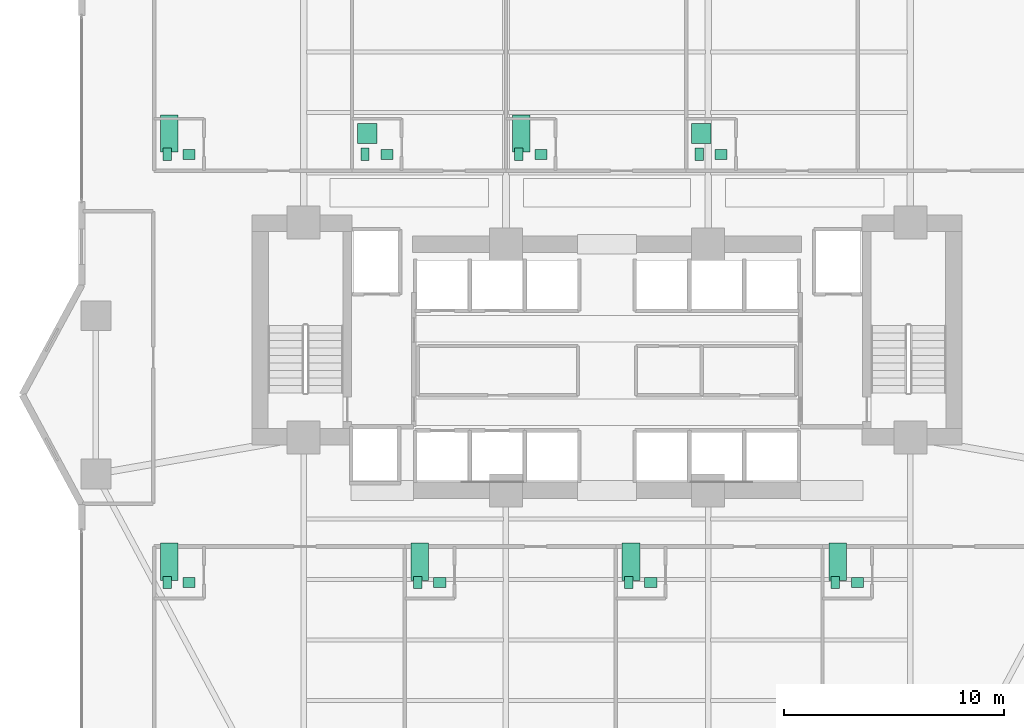
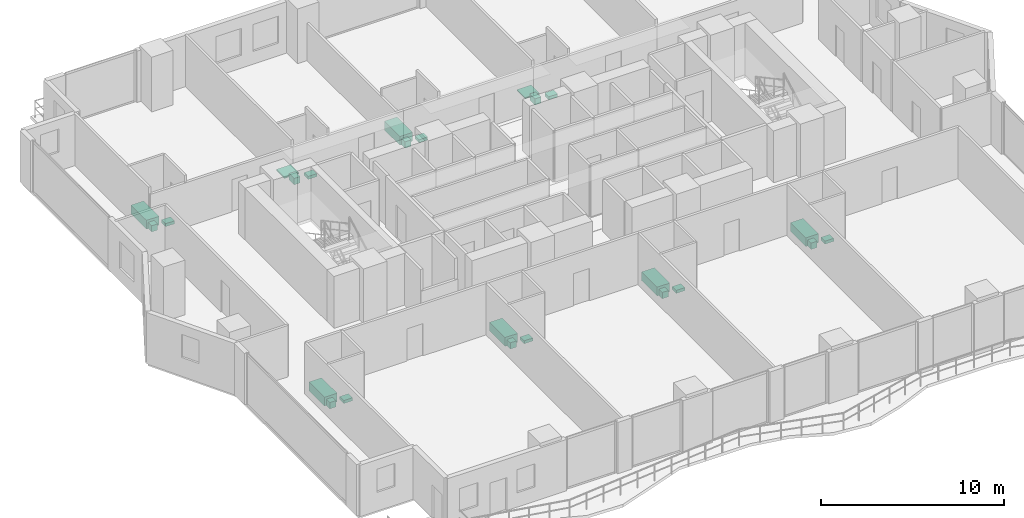
# One storey, part 28 of 28: 24 sanitary terminals.
"""IFC4 building model written with IfcOpenShell, lengths in metres."""

import ifcopenshell
import ifcopenshell.guid

model = None  # the IFC model being written
_history = None  # IfcOwnerHistory: only IFC2X3 demands one
_inside = {}  # id of a spatial element -> (the spatial element, [elements in it])
_under = {}  # id of a project, library or spatial element -> (it, [spatial elements below it])
_declared = {}  # id of a project -> (the project, [libraries it declares])
_typed = {}  # id of a type object -> (the type object, [elements of that type])
_made_of = {}  # id of a material, layer set ... -> (it, [elements and type objects made of it])


def new_model(schema):
    """Start an empty IFC model of exactly this schema.

    Asked for "IFC4X3", IfcOpenShell would pick the latest addendum, in which some entities
    have other attributes; the version numbers below select the first issue.
    IFC2X3 requires an IfcOwnerHistory on every rooted entity: one is made here for all.
    """
    global model, _history
    if schema == "IFC4X3":
        model = ifcopenshell.file(schema_version=(4, 3, 0, 0))
    else:
        model = ifcopenshell.file(schema=schema)
    _inside.clear()
    _under.clear()
    _declared.clear()
    _typed.clear()
    _made_of.clear()
    _history = None
    if model.schema == "IFC2X3":
        org = make("IfcOrganization", Name="unknown")
        user = make(
            "IfcPersonAndOrganization",
            ThePerson=make("IfcPerson", FamilyName="unknown"),
            TheOrganization=org,
        )
        app = make(
            "IfcApplication",
            ApplicationDeveloper=org,
            Version="unknown",
            ApplicationFullName="unknown",
            ApplicationIdentifier="unknown",
        )
        _history = make(
            "IfcOwnerHistory",
            OwningUser=user,
            OwningApplication=app,
            ChangeAction="ADDED",
            CreationDate=0,
        )
    return model


def make(cls, **values):
    """One entity of the class cls with the attributes given. An attribute that is None is left unset."""
    return model.create_entity(
        cls, **{name: value for name, value in values.items() if value is not None}
    )


def rooted(cls, **values):
    """An entity with a GlobalId (a new one), such as an element, a storey or a relation."""
    return make(cls, GlobalId=ifcopenshell.guid.new(), OwnerHistory=_history, **values)


def si_unit(unit_type, name, prefix=None):
    """IfcSIUnit, for example si_unit("LENGTHUNIT", "METRE", prefix="MILLI")."""
    return make("IfcSIUnit", UnitType=unit_type, Prefix=prefix, Name=name)


def assignment(units):
    """IfcUnitAssignment: the units of a project."""
    return None if units is None else make("IfcUnitAssignment", Units=units)


def point(xyz):
    """IfcCartesianPoint."""
    return None if xyz is None else make("IfcCartesianPoint", Coordinates=xyz)


def direction(xyz):
    """IfcDirection."""
    return None if xyz is None else make("IfcDirection", DirectionRatios=xyz)


def frame(location, z_axis=None, x_axis=None):
    """IfcAxis2Placement3D, a coordinate frame: its origin and axes. An axis left out is left unset."""
    return make(
        "IfcAxis2Placement3D",
        Location=point(location),
        Axis=direction(z_axis),
        RefDirection=direction(x_axis),
    )


def frame_2d(location, x_axis=None):
    """IfcAxis2Placement2D, a coordinate frame in the plane: its origin and x axis."""
    return make(
        "IfcAxis2Placement2D", Location=point(location), RefDirection=direction(x_axis)
    )


def origin():
    """The frame at (0, 0, 0) with its axes left unset."""
    return frame((0.0, 0.0, 0.0))


def origin_2d():
    """The frame at (0, 0) in the plane with its x axis left unset."""
    return frame_2d((0.0, 0.0))


def place(relative_to, where):
    """IfcLocalPlacement: puts the frame where relative to a parent placement (None: the world)."""
    return make(
        "IfcLocalPlacement", PlacementRelTo=relative_to, RelativePlacement=where
    )


def context(
    kind, dimensions, precision=None, world=None, true_north=None, identifier=None
):
    """IfcGeometricRepresentationContext, for example the 3D "Model" context."""
    return make(
        "IfcGeometricRepresentationContext",
        ContextIdentifier=identifier,
        ContextType=kind,
        CoordinateSpaceDimension=dimensions,
        Precision=precision,
        WorldCoordinateSystem=world,
        TrueNorth=true_north,
    )


def subcontext(parent, identifier, kind, view, scale=None):
    """IfcGeometricRepresentationSubContext, for example "Body" below "Model"."""
    return make(
        "IfcGeometricRepresentationSubContext",
        ContextIdentifier=identifier,
        ContextType=kind,
        ParentContext=parent,
        TargetScale=scale,
        TargetView=view,
    )


def project(units=None, contexts=None):
    """IfcProject with its units and contexts."""
    return rooted(
        "IfcProject",
        Name="project",
        RepresentationContexts=contexts,
        UnitsInContext=assignment(units),
    )


def spatial(cls, under=None, at=None, **own):
    """A site, building, storey or space (cls), placed at a placement, below another one or the project."""
    s = rooted(cls, ObjectPlacement=at, **own)
    if under is not None:
        _under.setdefault(under.id(), (under, []))[1].append(s)
    return s


def profile(cls, at=None, kind="AREA", **sizes):
    """A parametric profile (cls). Its sizes go by their IFC names, for example OverallWidth=200.0."""
    return make(cls, ProfileType=kind, Position=at, **sizes)


def rectangle(**sizes):
    """IfcRectangleProfileDef."""
    return profile("IfcRectangleProfileDef", **sizes)


def extrude(swept, where, along, depth):
    """IfcExtrudedAreaSolid: the profile swept, set in the frame where, extruded along a direction by depth."""
    return make(
        "IfcExtrudedAreaSolid",
        SweptArea=swept,
        Position=where,
        ExtrudedDirection=direction(along),
        Depth=depth,
    )


def shape(context_of_items, identifier, shape_type, items):
    """IfcShapeRepresentation: the items that make up one representation, for example the "Body"."""
    return make(
        "IfcShapeRepresentation",
        ContextOfItems=context_of_items,
        RepresentationIdentifier=identifier,
        RepresentationType=shape_type,
        Items=items,
    )


def material(Name=None, Category=None):
    """IfcMaterial."""
    return make("IfcMaterial", Name=Name, Category=Category)


def made_of(thing, what):
    """Note that an element or type object is made of a material, layer set ...; save() writes the relation."""
    if what is not None:
        _made_of.setdefault(what.id(), (what, []))[1].append(thing)
    return thing


def type_object(cls, material=None, **own):
    """A type object (cls), such as IfcWallType, which elements share."""
    return made_of(rooted(cls, **own), material)


def element(
    cls,
    number,
    at=None,
    inside=None,
    cuts=None,
    type_object=None,
    material=None,
    context=None,
    identifier="Body",
    shape_type=None,
    held_by="IfcProductDefinitionShape",
    body=None,
    shapes=None,
    **own,
):
    """One element of the class cls, such as IfcWall. Its Tag is "e" and its number.

    at: its placement. inside: the storey or other place that contains it. cuts: it is an
    opening in that element (IfcRelVoidsElement). A single representation is given by context,
    identifier, shape_type and body (its items); several are given by shapes. held_by: the class
    of the entity that holds the representations. save() writes the other relations.
    """
    e = rooted(cls, Tag="e%d" % number, ObjectPlacement=at, **own)
    if body is not None:
        shapes = [shape(context, identifier, shape_type, body)]
    if shapes is not None:
        e.Representation = make(held_by, Representations=shapes)
    if inside is not None:
        _inside.setdefault(inside.id(), (inside, []))[1].append(e)
    if cuts is not None:
        rooted(
            "IfcRelVoidsElement", RelatingBuildingElement=cuts, RelatedOpeningElement=e
        )
    if type_object is not None:
        _typed.setdefault(type_object.id(), (type_object, []))[1].append(e)
    return made_of(e, material)


def aggregate(whole, parts):
    """IfcRelAggregates: a whole, such as a stair, and the parts it consists of."""
    return rooted("IfcRelAggregates", RelatingObject=whole, RelatedObjects=parts)


def save(model, path):
    """Write the relations noted so far, then the file.

    IfcRelAggregates (storeys below a building ...), IfcRelContainedInSpatialStructure (elements
    in a storey), IfcRelDefinesByType, IfcRelAssociatesMaterial and IfcRelDeclares: one each for
    every whole, place, type object, material and project.
    """
    for whole, parts in _under.values():
        aggregate(whole, parts)
    for where, things in _inside.values():
        rooted(
            "IfcRelContainedInSpatialStructure",
            RelatedElements=things,
            RelatingStructure=where,
        )
    for kind, things in _typed.values():
        rooted("IfcRelDefinesByType", RelatedObjects=things, RelatingType=kind)
    for what, things in _made_of.values():
        rooted("IfcRelAssociatesMaterial", RelatedObjects=things, RelatingMaterial=what)
    for by, libraries in _declared.values():
        rooted("IfcRelDeclares", RelatingContext=by, RelatedDefinitions=libraries)
    model.write(path)


model = new_model("IFC4")

# Units and contexts
model_context = context("Model", 3, precision=1e-05, world=origin(), true_north=direction((0.0, 1.0)))
body_context = subcontext(model_context, "Body", "Model", "MODEL_VIEW")
ifc_project = project(units=[si_unit("LENGTHUNIT", "METRE"), si_unit("AREAUNIT", "SQUARE_METRE"), si_unit("VOLUMEUNIT", "CUBIC_METRE"), si_unit("PLANEANGLEUNIT", "RADIAN"), si_unit("MASSUNIT", "GRAM", prefix="KILO")], contexts=[model_context])

# Site, building, storey
site_placement = place(None, origin())
site = spatial("IfcSite", under=ifc_project, at=site_placement, CompositionType="ELEMENT")
building_placement = place(site_placement, origin())
building = spatial("IfcBuilding", under=site, at=building_placement, Name="Zuhayl Quay Hotel", CompositionType="ELEMENT")
storey_placement = place(building_placement, frame((0.0, 0.0, 121.199951171875)))
storey = spatial("IfcBuildingStorey", under=building, at=storey_placement, Name="L30", CompositionType="ELEMENT", Elevation=121.199951171875)

# Sanitary terminals
ifc_material = material(Name="Vitreous Porcelain Sanitaryware")
sanitary_terminal_type_1 = type_object("IfcSanitaryTerminalType", Name="SAN_BASIN", PredefinedType="WASHHANDBASIN", material=ifc_material)
for number, where, z_axis, x_axis, name in (
    (1, (-19.010009765625, 17.43994140625, 0.0), (0.0, 0.0, 1.0), (1.0, 0.0, 0.0), "L30 Sanitary Fixture WASHHANDBASIN"),
    (2, (-10.010009765625, 17.43994140625, 0.0), (0.0, 0.0, 1.0), (1.0, 0.0, 0.0), "L30 Sanitary Fixture WASHHANDBASIN"),
    (3, (-3.010009765625, 17.43994140625, 0.0), (0.0, 0.0, 1.0), (1.0, 0.0, 0.0), "L30 Sanitary Fixture WASHHANDBASIN"),
    (4, (5.18994140625, 17.43994140625, 0.0), (0.0, 0.0, 1.0), (1.0, 0.0, 0.0), "L30 Sanitary Fixture WASHHANDBASIN"),
    (5, (-19.010009765625, -2.0400390625, 0.0), (0.0, 0.0, 1.0), (1.0, 0.0, 0.0), "L30 Sanitary Fixture WASHHANDBASIN"),
    (6, (-7.610107421875, -2.0400390625, 0.0), (0.0, 0.0, 1.0), (1.0, 0.0, 0.0), "L30 Sanitary Fixture WASHHANDBASIN"),
    (7, (1.989990234375, -2.0400390625, 0.0), (0.0, 0.0, 1.0), (1.0, 0.0, 0.0), "L30 Sanitary Fixture WASHHANDBASIN"),
    (8, (11.389892578125, -2.0400390625, 0.0), (0.0, 0.0, 1.0), (1.0, 0.0, 0.0), "L30 Sanitary Fixture WASHHANDBASIN"),
):
    element("IfcSanitaryTerminal", number, at=place(storey_placement, frame(where, z_axis=z_axis, x_axis=x_axis)), inside=storey, type_object=sanitary_terminal_type_1, Name=name, PredefinedType="WASHHANDBASIN", context=body_context, shape_type="SweptSolid", body=[
        extrude(rectangle(XDim=0.550048828125, YDim=0.449951171875, at=origin_2d()), origin(), (0.0, 0.0, 1.0), 0.199951171875),
    ])
sanitary_terminal_type_2 = type_object("IfcSanitaryTerminalType", Name="SAN_BATH", PredefinedType="BATH", material=ifc_material)
for number, where, z_axis, x_axis, name in (
    (9, (-19.909912109375, 18.389892578125, 0.0), (0.0, 0.0, 1.0), (1.0, 0.0, 0.0), "L30 Sanitary Fixture BATH"),
    (10, (-3.909912109375, 18.389892578125, 0.0), (0.0, 0.0, 1.0), (1.0, 0.0, 0.0), "L30 Sanitary Fixture BATH"),
    (11, (-19.909912109375, -1.090087890625, 0.0), (0.0, 0.0, 1.0), (1.0, 0.0, 0.0), "L30 Sanitary Fixture BATH"),
    (12, (-8.510009765625, -1.090087890625, 0.0), (0.0, 0.0, 1.0), (1.0, 0.0, 0.0), "L30 Sanitary Fixture BATH"),
    (13, (1.090087890625, -1.090087890625, 0.0), (0.0, 0.0, 1.0), (1.0, 0.0, 0.0), "L30 Sanitary Fixture BATH"),
    (14, (10.489990234375, -1.090087890625, 0.0), (0.0, 0.0, 1.0), (1.0, 0.0, 0.0), "L30 Sanitary Fixture BATH"),
):
    element("IfcSanitaryTerminal", number, at=place(storey_placement, frame(where, z_axis=z_axis, x_axis=x_axis)), inside=storey, type_object=sanitary_terminal_type_2, Name=name, PredefinedType="BATH", context=body_context, shape_type="SweptSolid", body=[
        extrude(rectangle(XDim=0.800048828125, YDim=1.699951171875, at=origin_2d()), origin(), (0.0, 0.0, 1.0), 0.580078125),
    ])
sanitary_terminal_type_3 = type_object("IfcSanitaryTerminalType", Name="SAN_SHOWER", PredefinedType="SHOWER", material=ifc_material)
for number, where, z_axis, x_axis, name in (
    (15, (-10.909912109375, 18.389892578125, 0.0), (0.0, 0.0, 1.0), (1.0, 0.0, 0.0), "L30 Sanitary Fixture SHOWER"),
    (16, (4.2900390625, 18.389892578125, 0.0), (0.0, 0.0, 1.0), (1.0, 0.0, 0.0), "L30 Sanitary Fixture SHOWER"),
):
    element("IfcSanitaryTerminal", number, at=place(storey_placement, frame(where, z_axis=z_axis, x_axis=x_axis)), inside=storey, type_object=sanitary_terminal_type_3, Name=name, PredefinedType="SHOWER", context=body_context, shape_type="SweptSolid", body=[
        extrude(rectangle(XDim=0.89990234375, YDim=0.89990234375, at=origin_2d()), origin(), (0.0, 0.0, 1.0), 0.080078125),
    ])
sanitary_terminal_type_4 = type_object("IfcSanitaryTerminalType", Name="SAN_WC", PredefinedType="TOILETPAN", material=ifc_material)
for number, where, z_axis, x_axis, name in (
    (17, (-20.010009765625, 17.43994140625, 0.0), (0.0, 0.0, 1.0), (1.0, 0.0, 0.0), "L30 Sanitary Fixture TOILETPAN"),
    (18, (-11.010009765625, 17.43994140625, 0.0), (0.0, 0.0, 1.0), (1.0, 0.0, 0.0), "L30 Sanitary Fixture TOILETPAN"),
    (19, (-4.010009765625, 17.43994140625, 0.0), (0.0, 0.0, 1.0), (1.0, 0.0, 0.0), "L30 Sanitary Fixture TOILETPAN"),
    (20, (4.18994140625, 17.43994140625, 0.0), (0.0, 0.0, 1.0), (1.0, 0.0, 0.0), "L30 Sanitary Fixture TOILETPAN"),
    (21, (-20.010009765625, -2.0400390625, 0.0), (0.0, 0.0, 1.0), (1.0, 0.0, 0.0), "L30 Sanitary Fixture TOILETPAN"),
    (22, (-8.610107421875, -2.0400390625, 0.0), (0.0, 0.0, 1.0), (1.0, 0.0, 0.0), "L30 Sanitary Fixture TOILETPAN"),
    (23, (0.989990234375, -2.0400390625, 0.0), (0.0, 0.0, 1.0), (1.0, 0.0, 0.0), "L30 Sanitary Fixture TOILETPAN"),
    (24, (10.389892578125, -2.0400390625, 0.0), (0.0, 0.0, 1.0), (1.0, 0.0, 0.0), "L30 Sanitary Fixture TOILETPAN"),
):
    element("IfcSanitaryTerminal", number, at=place(storey_placement, frame(where, z_axis=z_axis, x_axis=x_axis)), inside=storey, type_object=sanitary_terminal_type_4, Name=name, PredefinedType="TOILETPAN", context=body_context, shape_type="SweptSolid", body=[
        extrude(rectangle(XDim=0.3798828125, YDim=0.56005859375, at=origin_2d()), origin(), (0.0, 0.0, 1.0), 0.419921875),
    ])

save(model, "model.ifc")
